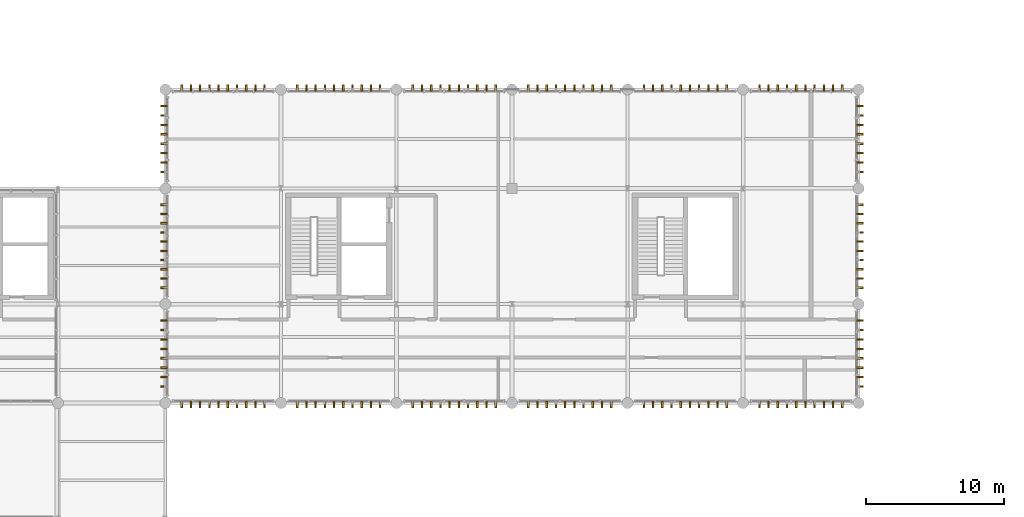
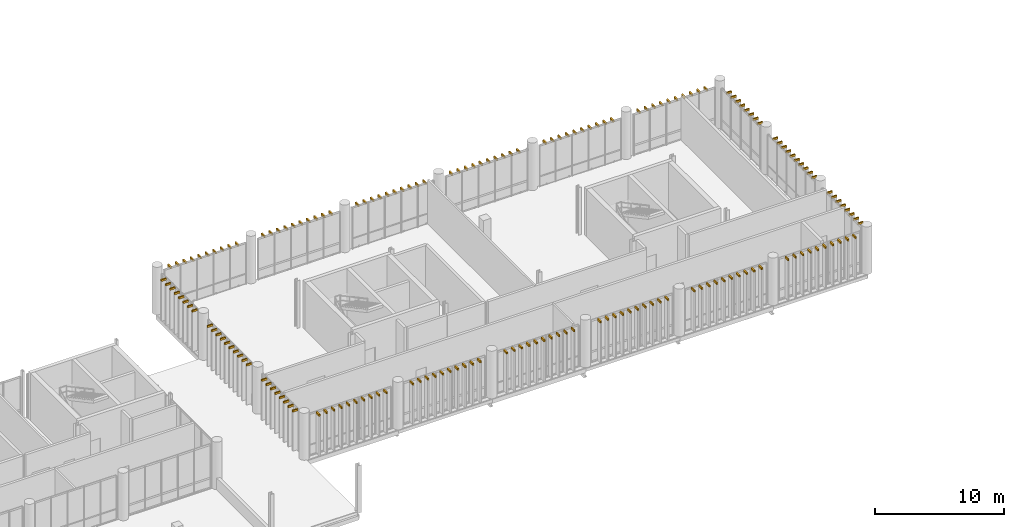
# One storey, part 68 of 68: 172 shading devices.
"""IFC4 building model written with IfcOpenShell, lengths in metres."""

from ifc_helpers import new_model, si_unit, direction, frame, origin_with_axes, origin_2d_with_axis, place, context, subcontext, project, spatial, rectangle, extrude, material, type_object, element, save


model = new_model("IFC4")

# Units and contexts
model_context = context("Model", 3, precision=1e-05, world=origin_with_axes(), true_north=direction((0.0, 1.0)))
body_context = subcontext(model_context, "Body", "Model", "MODEL_VIEW")
ifc_project = project(units=[si_unit("LENGTHUNIT", "METRE"), si_unit("AREAUNIT", "SQUARE_METRE"), si_unit("VOLUMEUNIT", "CUBIC_METRE"), si_unit("PLANEANGLEUNIT", "RADIAN"), si_unit("MASSUNIT", "GRAM", prefix="KILO"), si_unit("THERMODYNAMICTEMPERATUREUNIT", "KELVIN")], contexts=[model_context])

# Site, building, storey
site_placement = place(None, origin_with_axes())
site = spatial("IfcSite", under=ifc_project, at=site_placement, CompositionType="ELEMENT")
building_placement = place(site_placement, origin_with_axes())
building = spatial("IfcBuilding", under=site, at=building_placement, Name="Montbau Bow Law Courts", CompositionType="ELEMENT")
storey_placement = place(building_placement, frame((0.0, 0.0, 20.4), z_axis=(0.0, 0.0, 1.0), x_axis=(1.0, 0.0, 0.0)))
storey = spatial("IfcBuildingStorey", under=building, at=storey_placement, Name="L04", CompositionType="ELEMENT", Elevation=20.4)

# Shading devices
ifc_material = material(Name="Freeze-Thaw Glazed Cream Ceramic Vertical Louvre", Category="masonry")
shading_device_type = type_object("IfcShadingDeviceType", Name="SH-LVR-CRM", PredefinedType="USERDEFINED", material=ifc_material)
for number, where, z_axis, x_axis, name in (
    (1, (47.985, 38.89, 24.14), (0.0, 0.0, 1.0), (0.0, -1.0, 0.0), "LVR-L04-1731:shd_1731"),
    (2, (48.655, 38.89, 24.14), (0.0, 0.0, 1.0), (0.0, -1.0, 0.0), "LVR-L04-1732:shd_1732"),
    (3, (49.325, 38.89, 24.14), (0.0, 0.0, 1.0), (0.0, -1.0, 0.0), "LVR-L04-1733:shd_1733"),
    (4, (49.995, 38.89, 24.14), (0.0, 0.0, 1.0), (0.0, -1.0, 0.0), "LVR-L04-1734:shd_1734"),
    (5, (50.665, 38.89, 24.14), (0.0, 0.0, 1.0), (0.0, -1.0, 0.0), "LVR-L04-1735:shd_1735"),
    (6, (51.335, 38.89, 24.14), (0.0, 0.0, 1.0), (0.0, -1.0, 0.0), "LVR-L04-1736:shd_1736"),
    (7, (52.005, 38.89, 24.14), (0.0, 0.0, 1.0), (0.0, -1.0, 0.0), "LVR-L04-1737:shd_1737"),
    (8, (52.675, 38.89, 24.14), (0.0, 0.0, 1.0), (0.0, -1.0, 0.0), "LVR-L04-1738:shd_1738"),
    (9, (53.345, 38.89, 24.14), (0.0, 0.0, 1.0), (0.0, -1.0, 0.0), "LVR-L04-1739:shd_1739"),
    (10, (54.015, 38.89, 24.14), (0.0, 0.0, 1.0), (0.0, -1.0, 0.0), "LVR-L04-1740:shd_1740"),
    (11, (56.385, 38.89, 24.14), (0.0, 0.0, 1.0), (0.0, -1.0, 0.0), "LVR-L04-1741:shd_1741"),
    (12, (57.055, 38.89, 24.14), (0.0, 0.0, 1.0), (0.0, -1.0, 0.0), "LVR-L04-1742:shd_1742"),
    (13, (57.725, 38.89, 24.14), (0.0, 0.0, 1.0), (0.0, -1.0, 0.0), "LVR-L04-1743:shd_1743"),
    (14, (58.395, 38.89, 24.14), (0.0, 0.0, 1.0), (0.0, -1.0, 0.0), "LVR-L04-1744:shd_1744"),
    (15, (59.065, 38.89, 24.14), (0.0, 0.0, 1.0), (0.0, -1.0, 0.0), "LVR-L04-1745:shd_1745"),
    (16, (59.735, 38.89, 24.14), (0.0, 0.0, 1.0), (0.0, -1.0, 0.0), "LVR-L04-1746:shd_1746"),
    (17, (60.405, 38.89, 24.14), (0.0, 0.0, 1.0), (0.0, -1.0, 0.0), "LVR-L04-1747:shd_1747"),
    (18, (61.075, 38.89, 24.14), (0.0, 0.0, 1.0), (0.0, -1.0, 0.0), "LVR-L04-1748:shd_1748"),
    (19, (61.745, 38.89, 24.14), (0.0, 0.0, 1.0), (0.0, -1.0, 0.0), "LVR-L04-1749:shd_1749"),
    (20, (62.415, 38.89, 24.14), (0.0, 0.0, 1.0), (0.0, -1.0, 0.0), "LVR-L04-1750:shd_1750"),
    (21, (64.785, 38.89, 24.14), (0.0, 0.0, 1.0), (0.0, -1.0, 0.0), "LVR-L04-1751:shd_1751"),
    (22, (65.455, 38.89, 24.14), (0.0, 0.0, 1.0), (0.0, -1.0, 0.0), "LVR-L04-1752:shd_1752"),
    (23, (66.125, 38.89, 24.14), (0.0, 0.0, 1.0), (0.0, -1.0, 0.0), "LVR-L04-1753:shd_1753"),
    (24, (66.795, 38.89, 24.14), (0.0, 0.0, 1.0), (0.0, -1.0, 0.0), "LVR-L04-1754:shd_1754"),
    (25, (67.465, 38.89, 24.14), (0.0, 0.0, 1.0), (0.0, -1.0, 0.0), "LVR-L04-1755:shd_1755"),
    (26, (68.135, 38.89, 24.14), (0.0, 0.0, 1.0), (0.0, -1.0, 0.0), "LVR-L04-1756:shd_1756"),
    (27, (68.805, 38.89, 24.14), (0.0, 0.0, 1.0), (0.0, -1.0, 0.0), "LVR-L04-1757:shd_1757"),
    (28, (69.475, 38.89, 24.14), (0.0, 0.0, 1.0), (0.0, -1.0, 0.0), "LVR-L04-1758:shd_1758"),
    (29, (70.145, 38.89, 24.14), (0.0, 0.0, 1.0), (0.0, -1.0, 0.0), "LVR-L04-1759:shd_1759"),
    (30, (70.815, 38.89, 24.14), (0.0, 0.0, 1.0), (0.0, -1.0, 0.0), "LVR-L04-1760:shd_1760"),
    (31, (73.185, 38.89, 24.14), (0.0, 0.0, 1.0), (0.0, -1.0, 0.0), "LVR-L04-1761:shd_1761"),
    (32, (73.855, 38.89, 24.14), (0.0, 0.0, 1.0), (0.0, -1.0, 0.0), "LVR-L04-1762:shd_1762"),
    (33, (74.525, 38.89, 24.14), (0.0, 0.0, 1.0), (0.0, -1.0, 0.0), "LVR-L04-1763:shd_1763"),
    (34, (75.195, 38.89, 24.14), (0.0, 0.0, 1.0), (0.0, -1.0, 0.0), "LVR-L04-1764:shd_1764"),
    (35, (75.865, 38.89, 24.14), (0.0, 0.0, 1.0), (0.0, -1.0, 0.0), "LVR-L04-1765:shd_1765"),
    (36, (76.535, 38.89, 24.14), (0.0, 0.0, 1.0), (0.0, -1.0, 0.0), "LVR-L04-1766:shd_1766"),
    (37, (77.205, 38.89, 24.14), (0.0, 0.0, 1.0), (0.0, -1.0, 0.0), "LVR-L04-1767:shd_1767"),
    (38, (77.875, 38.89, 24.14), (0.0, 0.0, 1.0), (0.0, -1.0, 0.0), "LVR-L04-1768:shd_1768"),
    (39, (78.545, 38.89, 24.14), (0.0, 0.0, 1.0), (0.0, -1.0, 0.0), "LVR-L04-1769:shd_1769"),
    (40, (79.215, 38.89, 24.14), (0.0, 0.0, 1.0), (0.0, -1.0, 0.0), "LVR-L04-1770:shd_1770"),
    (41, (81.585, 38.89, 24.14), (0.0, 0.0, 1.0), (0.0, -1.0, 0.0), "LVR-L04-1771:shd_1771"),
    (42, (82.255, 38.89, 24.14), (0.0, 0.0, 1.0), (0.0, -1.0, 0.0), "LVR-L04-1772:shd_1772"),
    (43, (82.925, 38.89, 24.14), (0.0, 0.0, 1.0), (0.0, -1.0, 0.0), "LVR-L04-1773:shd_1773"),
    (44, (83.595, 38.89, 24.14), (0.0, 0.0, 1.0), (0.0, -1.0, 0.0), "LVR-L04-1774:shd_1774"),
    (45, (84.265, 38.89, 24.14), (0.0, 0.0, 1.0), (0.0, -1.0, 0.0), "LVR-L04-1775:shd_1775"),
    (46, (84.935, 38.89, 24.14), (0.0, 0.0, 1.0), (0.0, -1.0, 0.0), "LVR-L04-1776:shd_1776"),
    (47, (85.605, 38.89, 24.14), (0.0, 0.0, 1.0), (0.0, -1.0, 0.0), "LVR-L04-1777:shd_1777"),
    (48, (86.275, 38.89, 24.14), (0.0, 0.0, 1.0), (0.0, -1.0, 0.0), "LVR-L04-1778:shd_1778"),
    (49, (86.945, 38.89, 24.14), (0.0, 0.0, 1.0), (0.0, -1.0, 0.0), "LVR-L04-1779:shd_1779"),
    (50, (87.615, 38.89, 24.14), (0.0, 0.0, 1.0), (0.0, -1.0, 0.0), "LVR-L04-1780:shd_1780"),
    (51, (89.985, 38.89, 24.14), (0.0, 0.0, 1.0), (0.0, -1.0, 0.0), "LVR-L04-1781:shd_1781"),
    (52, (90.655, 38.89, 24.14), (0.0, 0.0, 1.0), (0.0, -1.0, 0.0), "LVR-L04-1782:shd_1782"),
    (53, (91.325, 38.89, 24.14), (0.0, 0.0, 1.0), (0.0, -1.0, 0.0), "LVR-L04-1783:shd_1783"),
    (54, (91.995, 38.89, 24.14), (0.0, 0.0, 1.0), (0.0, -1.0, 0.0), "LVR-L04-1784:shd_1784"),
    (55, (92.665, 38.89, 24.14), (0.0, 0.0, 1.0), (0.0, -1.0, 0.0), "LVR-L04-1785:shd_1785"),
    (56, (93.335, 38.89, 24.14), (0.0, 0.0, 1.0), (0.0, -1.0, 0.0), "LVR-L04-1786:shd_1786"),
    (57, (94.005, 38.89, 24.14), (0.0, 0.0, 1.0), (0.0, -1.0, 0.0), "LVR-L04-1787:shd_1787"),
    (58, (94.675, 38.89, 24.14), (0.0, 0.0, 1.0), (0.0, -1.0, 0.0), "LVR-L04-1788:shd_1788"),
    (59, (95.345, 38.89, 24.14), (0.0, 0.0, 1.0), (0.0, -1.0, 0.0), "LVR-L04-1789:shd_1789"),
    (60, (96.015, 38.89, 24.14), (0.0, 0.0, 1.0), (0.0, -1.0, 0.0), "LVR-L04-1790:shd_1790"),
    (61, (47.985, 61.91, 24.14), (0.0, 0.0, 1.0), (0.0, 1.0, 0.0), "LVR-L04-1791:shd_1791"),
    (62, (48.655, 61.91, 24.14), (0.0, 0.0, 1.0), (0.0, 1.0, 0.0), "LVR-L04-1792:shd_1792"),
    (63, (49.325, 61.91, 24.14), (0.0, 0.0, 1.0), (0.0, 1.0, 0.0), "LVR-L04-1793:shd_1793"),
    (64, (49.995, 61.91, 24.14), (0.0, 0.0, 1.0), (0.0, 1.0, 0.0), "LVR-L04-1794:shd_1794"),
    (65, (50.665, 61.91, 24.14), (0.0, 0.0, 1.0), (0.0, 1.0, 0.0), "LVR-L04-1795:shd_1795"),
    (66, (51.335, 61.91, 24.14), (0.0, 0.0, 1.0), (0.0, 1.0, 0.0), "LVR-L04-1796:shd_1796"),
    (67, (52.005, 61.91, 24.14), (0.0, 0.0, 1.0), (0.0, 1.0, 0.0), "LVR-L04-1797:shd_1797"),
    (68, (52.675, 61.91, 24.14), (0.0, 0.0, 1.0), (0.0, 1.0, 0.0), "LVR-L04-1798:shd_1798"),
    (69, (53.345, 61.91, 24.14), (0.0, 0.0, 1.0), (0.0, 1.0, 0.0), "LVR-L04-1799:shd_1799"),
    (70, (54.015, 61.91, 24.14), (0.0, 0.0, 1.0), (0.0, 1.0, 0.0), "LVR-L04-1800:shd_1800"),
    (71, (56.385, 61.91, 24.14), (0.0, 0.0, 1.0), (0.0, 1.0, 0.0), "LVR-L04-1801:shd_1801"),
    (72, (57.055, 61.91, 24.14), (0.0, 0.0, 1.0), (0.0, 1.0, 0.0), "LVR-L04-1802:shd_1802"),
    (73, (57.725, 61.91, 24.14), (0.0, 0.0, 1.0), (0.0, 1.0, 0.0), "LVR-L04-1803:shd_1803"),
    (74, (58.395, 61.91, 24.14), (0.0, 0.0, 1.0), (0.0, 1.0, 0.0), "LVR-L04-1804:shd_1804"),
    (75, (59.065, 61.91, 24.14), (0.0, 0.0, 1.0), (0.0, 1.0, 0.0), "LVR-L04-1805:shd_1805"),
    (76, (59.735, 61.91, 24.14), (0.0, 0.0, 1.0), (0.0, 1.0, 0.0), "LVR-L04-1806:shd_1806"),
    (77, (60.405, 61.91, 24.14), (0.0, 0.0, 1.0), (0.0, 1.0, 0.0), "LVR-L04-1807:shd_1807"),
    (78, (61.075, 61.91, 24.14), (0.0, 0.0, 1.0), (0.0, 1.0, 0.0), "LVR-L04-1808:shd_1808"),
    (79, (61.745, 61.91, 24.14), (0.0, 0.0, 1.0), (0.0, 1.0, 0.0), "LVR-L04-1809:shd_1809"),
    (80, (62.415, 61.91, 24.14), (0.0, 0.0, 1.0), (0.0, 1.0, 0.0), "LVR-L04-1810:shd_1810"),
    (81, (64.785, 61.91, 24.14), (0.0, 0.0, 1.0), (0.0, 1.0, 0.0), "LVR-L04-1811:shd_1811"),
    (82, (65.455, 61.91, 24.14), (0.0, 0.0, 1.0), (0.0, 1.0, 0.0), "LVR-L04-1812:shd_1812"),
    (83, (66.125, 61.91, 24.14), (0.0, 0.0, 1.0), (0.0, 1.0, 0.0), "LVR-L04-1813:shd_1813"),
    (84, (66.795, 61.91, 24.14), (0.0, 0.0, 1.0), (0.0, 1.0, 0.0), "LVR-L04-1814:shd_1814"),
    (85, (67.465, 61.91, 24.14), (0.0, 0.0, 1.0), (0.0, 1.0, 0.0), "LVR-L04-1815:shd_1815"),
    (86, (68.135, 61.91, 24.14), (0.0, 0.0, 1.0), (0.0, 1.0, 0.0), "LVR-L04-1816:shd_1816"),
    (87, (68.805, 61.91, 24.14), (0.0, 0.0, 1.0), (0.0, 1.0, 0.0), "LVR-L04-1817:shd_1817"),
    (88, (69.475, 61.91, 24.14), (0.0, 0.0, 1.0), (0.0, 1.0, 0.0), "LVR-L04-1818:shd_1818"),
    (89, (70.145, 61.91, 24.14), (0.0, 0.0, 1.0), (0.0, 1.0, 0.0), "LVR-L04-1819:shd_1819"),
    (90, (70.815, 61.91, 24.14), (0.0, 0.0, 1.0), (0.0, 1.0, 0.0), "LVR-L04-1820:shd_1820"),
    (91, (73.185, 61.91, 24.14), (0.0, 0.0, 1.0), (0.0, 1.0, 0.0), "LVR-L04-1821:shd_1821"),
    (92, (73.855, 61.91, 24.14), (0.0, 0.0, 1.0), (0.0, 1.0, 0.0), "LVR-L04-1822:shd_1822"),
    (93, (74.525, 61.91, 24.14), (0.0, 0.0, 1.0), (0.0, 1.0, 0.0), "LVR-L04-1823:shd_1823"),
    (94, (75.195, 61.91, 24.14), (0.0, 0.0, 1.0), (0.0, 1.0, 0.0), "LVR-L04-1824:shd_1824"),
    (95, (75.865, 61.91, 24.14), (0.0, 0.0, 1.0), (0.0, 1.0, 0.0), "LVR-L04-1825:shd_1825"),
    (96, (76.535, 61.91, 24.14), (0.0, 0.0, 1.0), (0.0, 1.0, 0.0), "LVR-L04-1826:shd_1826"),
    (97, (77.205, 61.91, 24.14), (0.0, 0.0, 1.0), (0.0, 1.0, 0.0), "LVR-L04-1827:shd_1827"),
    (98, (77.875, 61.91, 24.14), (0.0, 0.0, 1.0), (0.0, 1.0, 0.0), "LVR-L04-1828:shd_1828"),
    (99, (78.545, 61.91, 24.14), (0.0, 0.0, 1.0), (0.0, 1.0, 0.0), "LVR-L04-1829:shd_1829"),
    (100, (79.215, 61.91, 24.14), (0.0, 0.0, 1.0), (0.0, 1.0, 0.0), "LVR-L04-1830:shd_1830"),
    (101, (81.585, 61.91, 24.14), (0.0, 0.0, 1.0), (0.0, 1.0, 0.0), "LVR-L04-1831:shd_1831"),
    (102, (82.255, 61.91, 24.14), (0.0, 0.0, 1.0), (0.0, 1.0, 0.0), "LVR-L04-1832:shd_1832"),
    (103, (82.925, 61.91, 24.14), (0.0, 0.0, 1.0), (0.0, 1.0, 0.0), "LVR-L04-1833:shd_1833"),
    (104, (83.595, 61.91, 24.14), (0.0, 0.0, 1.0), (0.0, 1.0, 0.0), "LVR-L04-1834:shd_1834"),
    (105, (84.265, 61.91, 24.14), (0.0, 0.0, 1.0), (0.0, 1.0, 0.0), "LVR-L04-1835:shd_1835"),
    (106, (84.935, 61.91, 24.14), (0.0, 0.0, 1.0), (0.0, 1.0, 0.0), "LVR-L04-1836:shd_1836"),
    (107, (85.605, 61.91, 24.14), (0.0, 0.0, 1.0), (0.0, 1.0, 0.0), "LVR-L04-1837:shd_1837"),
    (108, (86.275, 61.91, 24.14), (0.0, 0.0, 1.0), (0.0, 1.0, 0.0), "LVR-L04-1838:shd_1838"),
    (109, (86.945, 61.91, 24.14), (0.0, 0.0, 1.0), (0.0, 1.0, 0.0), "LVR-L04-1839:shd_1839"),
    (110, (87.615, 61.91, 24.14), (0.0, 0.0, 1.0), (0.0, 1.0, 0.0), "LVR-L04-1840:shd_1840"),
    (111, (89.985, 61.91, 24.14), (0.0, 0.0, 1.0), (0.0, 1.0, 0.0), "LVR-L04-1841:shd_1841"),
    (112, (90.655, 61.91, 24.14), (0.0, 0.0, 1.0), (0.0, 1.0, 0.0), "LVR-L04-1842:shd_1842"),
    (113, (91.325, 61.91, 24.14), (0.0, 0.0, 1.0), (0.0, 1.0, 0.0), "LVR-L04-1843:shd_1843"),
    (114, (91.995, 61.91, 24.14), (0.0, 0.0, 1.0), (0.0, 1.0, 0.0), "LVR-L04-1844:shd_1844"),
    (115, (92.665, 61.91, 24.14), (0.0, 0.0, 1.0), (0.0, 1.0, 0.0), "LVR-L04-1845:shd_1845"),
    (116, (93.335, 61.91, 24.14), (0.0, 0.0, 1.0), (0.0, 1.0, 0.0), "LVR-L04-1846:shd_1846"),
    (117, (94.005, 61.91, 24.14), (0.0, 0.0, 1.0), (0.0, 1.0, 0.0), "LVR-L04-1847:shd_1847"),
    (118, (94.675, 61.91, 24.14), (0.0, 0.0, 1.0), (0.0, 1.0, 0.0), "LVR-L04-1848:shd_1848"),
    (119, (95.345, 61.91, 24.14), (0.0, 0.0, 1.0), (0.0, 1.0, 0.0), "LVR-L04-1849:shd_1849"),
    (120, (96.015, 61.91, 24.14), (0.0, 0.0, 1.0), (0.0, 1.0, 0.0), "LVR-L04-1850:shd_1850"),
    (121, (46.69, 40.201, 24.14), (0.0, 0.0, 1.0), (-1.0, 0.0, 0.0), "LVR-L04-1851:shd_1851"),
    (122, (46.69, 40.886, 24.14), (0.0, 0.0, 1.0), (-1.0, 0.0, 0.0), "LVR-L04-1852:shd_1852"),
    (123, (46.69, 41.572, 24.14), (0.0, 0.0, 1.0), (-1.0, 0.0, 0.0), "LVR-L04-1853:shd_1853"),
    (124, (46.69, 42.257, 24.14), (0.0, 0.0, 1.0), (-1.0, 0.0, 0.0), "LVR-L04-1854:shd_1854"),
    (125, (46.69, 42.943, 24.14), (0.0, 0.0, 1.0), (-1.0, 0.0, 0.0), "LVR-L04-1855:shd_1855"),
    (126, (46.69, 43.628, 24.14), (0.0, 0.0, 1.0), (-1.0, 0.0, 0.0), "LVR-L04-1856:shd_1856"),
    (127, (46.69, 44.314, 24.14), (0.0, 0.0, 1.0), (-1.0, 0.0, 0.0), "LVR-L04-1857:shd_1857"),
    (128, (46.69, 44.999, 24.14), (0.0, 0.0, 1.0), (-1.0, 0.0, 0.0), "LVR-L04-1858:shd_1858"),
    (129, (46.69, 47.385, 24.14), (0.0, 0.0, 1.0), (-1.0, 0.0, 0.0), "LVR-L04-1859:shd_1859"),
    (130, (46.69, 48.055, 24.14), (0.0, 0.0, 1.0), (-1.0, 0.0, 0.0), "LVR-L04-1860:shd_1860"),
    (131, (46.69, 48.725, 24.14), (0.0, 0.0, 1.0), (-1.0, 0.0, 0.0), "LVR-L04-1861:shd_1861"),
    (132, (46.69, 49.395, 24.14), (0.0, 0.0, 1.0), (-1.0, 0.0, 0.0), "LVR-L04-1862:shd_1862"),
    (133, (46.69, 50.065, 24.14), (0.0, 0.0, 1.0), (-1.0, 0.0, 0.0), "LVR-L04-1863:shd_1863"),
    (134, (46.69, 50.735, 24.14), (0.0, 0.0, 1.0), (-1.0, 0.0, 0.0), "LVR-L04-1864:shd_1864"),
    (135, (46.69, 51.405, 24.14), (0.0, 0.0, 1.0), (-1.0, 0.0, 0.0), "LVR-L04-1865:shd_1865"),
    (136, (46.69, 52.075, 24.14), (0.0, 0.0, 1.0), (-1.0, 0.0, 0.0), "LVR-L04-1866:shd_1866"),
    (137, (46.69, 52.745, 24.14), (0.0, 0.0, 1.0), (-1.0, 0.0, 0.0), "LVR-L04-1867:shd_1867"),
    (138, (46.69, 53.415, 24.14), (0.0, 0.0, 1.0), (-1.0, 0.0, 0.0), "LVR-L04-1868:shd_1868"),
    (139, (46.69, 55.801, 24.14), (0.0, 0.0, 1.0), (-1.0, 0.0, 0.0), "LVR-L04-1869:shd_1869"),
    (140, (46.69, 56.486, 24.14), (0.0, 0.0, 1.0), (-1.0, 0.0, 0.0), "LVR-L04-1870:shd_1870"),
    (141, (46.69, 57.172, 24.14), (0.0, 0.0, 1.0), (-1.0, 0.0, 0.0), "LVR-L04-1871:shd_1871"),
    (142, (46.69, 57.857, 24.14), (0.0, 0.0, 1.0), (-1.0, 0.0, 0.0), "LVR-L04-1872:shd_1872"),
    (143, (46.69, 58.543, 24.14), (0.0, 0.0, 1.0), (-1.0, 0.0, 0.0), "LVR-L04-1873:shd_1873"),
    (144, (46.69, 59.228, 24.14), (0.0, 0.0, 1.0), (-1.0, 0.0, 0.0), "LVR-L04-1874:shd_1874"),
    (145, (46.69, 59.914, 24.14), (0.0, 0.0, 1.0), (-1.0, 0.0, 0.0), "LVR-L04-1875:shd_1875"),
    (146, (46.69, 60.599, 24.14), (0.0, 0.0, 1.0), (-1.0, 0.0, 0.0), "LVR-L04-1876:shd_1876"),
    (147, (97.31, 40.201, 24.14), (0.0, 0.0, 1.0), (1.0, 0.0, 0.0), "LVR-L04-1877:shd_1877"),
    (148, (97.31, 40.886, 24.14), (0.0, 0.0, 1.0), (1.0, 0.0, 0.0), "LVR-L04-1878:shd_1878"),
    (149, (97.31, 41.572, 24.14), (0.0, 0.0, 1.0), (1.0, 0.0, 0.0), "LVR-L04-1879:shd_1879"),
    (150, (97.31, 42.257, 24.14), (0.0, 0.0, 1.0), (1.0, 0.0, 0.0), "LVR-L04-1880:shd_1880"),
    (151, (97.31, 42.943, 24.14), (0.0, 0.0, 1.0), (1.0, 0.0, 0.0), "LVR-L04-1881:shd_1881"),
    (152, (97.31, 43.628, 24.14), (0.0, 0.0, 1.0), (1.0, 0.0, 0.0), "LVR-L04-1882:shd_1882"),
    (153, (97.31, 44.314, 24.14), (0.0, 0.0, 1.0), (1.0, 0.0, 0.0), "LVR-L04-1883:shd_1883"),
    (154, (97.31, 44.999, 24.14), (0.0, 0.0, 1.0), (1.0, 0.0, 0.0), "LVR-L04-1884:shd_1884"),
    (155, (97.31, 47.385, 24.14), (0.0, 0.0, 1.0), (1.0, 0.0, 0.0), "LVR-L04-1885:shd_1885"),
    (156, (97.31, 48.055, 24.14), (0.0, 0.0, 1.0), (1.0, 0.0, 0.0), "LVR-L04-1886:shd_1886"),
    (157, (97.31, 48.725, 24.14), (0.0, 0.0, 1.0), (1.0, 0.0, 0.0), "LVR-L04-1887:shd_1887"),
    (158, (97.31, 49.395, 24.14), (0.0, 0.0, 1.0), (1.0, 0.0, 0.0), "LVR-L04-1888:shd_1888"),
    (159, (97.31, 50.065, 24.14), (0.0, 0.0, 1.0), (1.0, 0.0, 0.0), "LVR-L04-1889:shd_1889"),
    (160, (97.31, 50.735, 24.14), (0.0, 0.0, 1.0), (1.0, 0.0, 0.0), "LVR-L04-1890:shd_1890"),
    (161, (97.31, 51.405, 24.14), (0.0, 0.0, 1.0), (1.0, 0.0, 0.0), "LVR-L04-1891:shd_1891"),
    (162, (97.31, 52.075, 24.14), (0.0, 0.0, 1.0), (1.0, 0.0, 0.0), "LVR-L04-1892:shd_1892"),
    (163, (97.31, 52.745, 24.14), (0.0, 0.0, 1.0), (1.0, 0.0, 0.0), "LVR-L04-1893:shd_1893"),
    (164, (97.31, 53.415, 24.14), (0.0, 0.0, 1.0), (1.0, 0.0, 0.0), "LVR-L04-1894:shd_1894"),
    (165, (97.31, 55.801, 24.14), (0.0, 0.0, 1.0), (1.0, 0.0, 0.0), "LVR-L04-1895:shd_1895"),
    (166, (97.31, 56.486, 24.14), (0.0, 0.0, 1.0), (1.0, 0.0, 0.0), "LVR-L04-1896:shd_1896"),
    (167, (97.31, 57.172, 24.14), (0.0, 0.0, 1.0), (1.0, 0.0, 0.0), "LVR-L04-1897:shd_1897"),
    (168, (97.31, 57.857, 24.14), (0.0, 0.0, 1.0), (1.0, 0.0, 0.0), "LVR-L04-1898:shd_1898"),
    (169, (97.31, 58.543, 24.14), (0.0, 0.0, 1.0), (1.0, 0.0, 0.0), "LVR-L04-1899:shd_1899"),
    (170, (97.31, 59.228, 24.14), (0.0, 0.0, 1.0), (1.0, 0.0, 0.0), "LVR-L04-1900:shd_1900"),
    (171, (97.31, 59.914, 24.14), (0.0, 0.0, 1.0), (1.0, 0.0, 0.0), "LVR-L04-1901:shd_1901"),
    (172, (97.31, 60.599, 24.14), (0.0, 0.0, 1.0), (1.0, 0.0, 0.0), "LVR-L04-1902:shd_1902"),
):
    element("IfcShadingDevice", number, at=place(None, frame(where, z_axis=z_axis, x_axis=x_axis)), inside=storey, type_object=shading_device_type, Name=name, ObjectType="LOUVRE", PredefinedType="USERDEFINED", context=body_context, shape_type="SweptSolid", body=[
        extrude(rectangle(XDim=0.48, YDim=0.12, at=origin_2d_with_axis()), origin_with_axes(), (0.0, 0.0, 1.0), 0.18),
    ])

save(model, "model.ifc")
